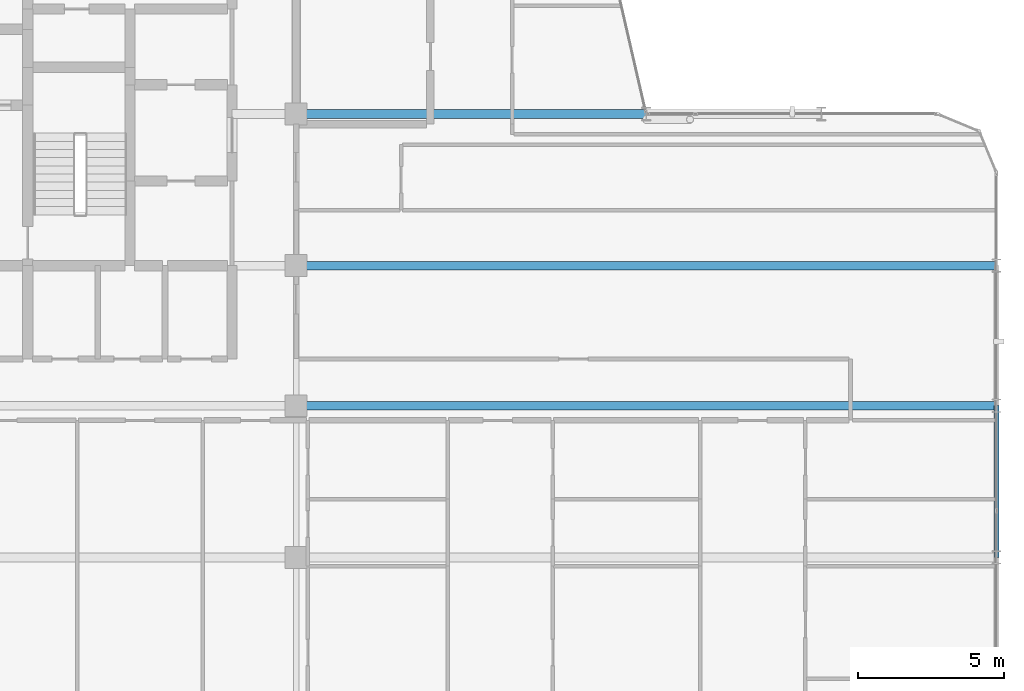
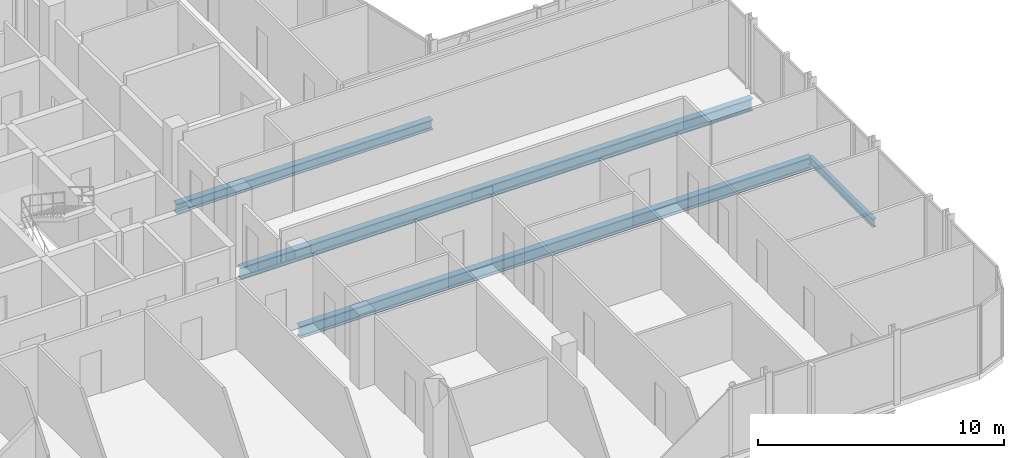
# One storey, part 13 of 29: 4 beams.
"""IFC4 building model written with IfcOpenShell, lengths in metres."""

import ifcopenshell
import ifcopenshell.guid

model = None  # the IFC model being written
_history = None  # IfcOwnerHistory: only IFC2X3 demands one
_inside = {}  # id of a spatial element -> (the spatial element, [elements in it])
_under = {}  # id of a project, library or spatial element -> (it, [spatial elements below it])
_declared = {}  # id of a project -> (the project, [libraries it declares])
_typed = {}  # id of a type object -> (the type object, [elements of that type])
_made_of = {}  # id of a material, layer set ... -> (it, [elements and type objects made of it])


def new_model(schema):
    """Start an empty IFC model of exactly this schema.

    Asked for "IFC4X3", IfcOpenShell would pick the latest addendum, in which some entities
    have other attributes; the version numbers below select the first issue.
    IFC2X3 requires an IfcOwnerHistory on every rooted entity: one is made here for all.
    """
    global model, _history
    if schema == "IFC4X3":
        model = ifcopenshell.file(schema_version=(4, 3, 0, 0))
    else:
        model = ifcopenshell.file(schema=schema)
    _inside.clear()
    _under.clear()
    _declared.clear()
    _typed.clear()
    _made_of.clear()
    _history = None
    if model.schema == "IFC2X3":
        org = make("IfcOrganization", Name="unknown")
        user = make(
            "IfcPersonAndOrganization",
            ThePerson=make("IfcPerson", FamilyName="unknown"),
            TheOrganization=org,
        )
        app = make(
            "IfcApplication",
            ApplicationDeveloper=org,
            Version="unknown",
            ApplicationFullName="unknown",
            ApplicationIdentifier="unknown",
        )
        _history = make(
            "IfcOwnerHistory",
            OwningUser=user,
            OwningApplication=app,
            ChangeAction="ADDED",
            CreationDate=0,
        )
    return model


def make(cls, **values):
    """One entity of the class cls with the attributes given. An attribute that is None is left unset."""
    return model.create_entity(
        cls, **{name: value for name, value in values.items() if value is not None}
    )


def rooted(cls, **values):
    """An entity with a GlobalId (a new one), such as an element, a storey or a relation."""
    return make(cls, GlobalId=ifcopenshell.guid.new(), OwnerHistory=_history, **values)


def si_unit(unit_type, name, prefix=None):
    """IfcSIUnit, for example si_unit("LENGTHUNIT", "METRE", prefix="MILLI")."""
    return make("IfcSIUnit", UnitType=unit_type, Prefix=prefix, Name=name)


def assignment(units):
    """IfcUnitAssignment: the units of a project."""
    return None if units is None else make("IfcUnitAssignment", Units=units)


def point(xyz):
    """IfcCartesianPoint."""
    return None if xyz is None else make("IfcCartesianPoint", Coordinates=xyz)


def direction(xyz):
    """IfcDirection."""
    return None if xyz is None else make("IfcDirection", DirectionRatios=xyz)


def frame(location, z_axis=None, x_axis=None):
    """IfcAxis2Placement3D, a coordinate frame: its origin and axes. An axis left out is left unset."""
    return make(
        "IfcAxis2Placement3D",
        Location=point(location),
        Axis=direction(z_axis),
        RefDirection=direction(x_axis),
    )


def frame_2d(location, x_axis=None):
    """IfcAxis2Placement2D, a coordinate frame in the plane: its origin and x axis."""
    return make(
        "IfcAxis2Placement2D", Location=point(location), RefDirection=direction(x_axis)
    )


def origin():
    """The frame at (0, 0, 0) with its axes left unset."""
    return frame((0.0, 0.0, 0.0))


def origin_2d():
    """The frame at (0, 0) in the plane with its x axis left unset."""
    return frame_2d((0.0, 0.0))


def place(relative_to, where):
    """IfcLocalPlacement: puts the frame where relative to a parent placement (None: the world)."""
    return make(
        "IfcLocalPlacement", PlacementRelTo=relative_to, RelativePlacement=where
    )


def context(
    kind, dimensions, precision=None, world=None, true_north=None, identifier=None
):
    """IfcGeometricRepresentationContext, for example the 3D "Model" context."""
    return make(
        "IfcGeometricRepresentationContext",
        ContextIdentifier=identifier,
        ContextType=kind,
        CoordinateSpaceDimension=dimensions,
        Precision=precision,
        WorldCoordinateSystem=world,
        TrueNorth=true_north,
    )


def subcontext(parent, identifier, kind, view, scale=None):
    """IfcGeometricRepresentationSubContext, for example "Body" below "Model"."""
    return make(
        "IfcGeometricRepresentationSubContext",
        ContextIdentifier=identifier,
        ContextType=kind,
        ParentContext=parent,
        TargetScale=scale,
        TargetView=view,
    )


def project(units=None, contexts=None):
    """IfcProject with its units and contexts."""
    return rooted(
        "IfcProject",
        Name="project",
        RepresentationContexts=contexts,
        UnitsInContext=assignment(units),
    )


def spatial(cls, under=None, at=None, **own):
    """A site, building, storey or space (cls), placed at a placement, below another one or the project."""
    s = rooted(cls, ObjectPlacement=at, **own)
    if under is not None:
        _under.setdefault(under.id(), (under, []))[1].append(s)
    return s


def profile(cls, at=None, kind="AREA", **sizes):
    """A parametric profile (cls). Its sizes go by their IFC names, for example OverallWidth=200.0."""
    return make(cls, ProfileType=kind, Position=at, **sizes)


def i_section(**sizes):
    """IfcIShapeProfileDef."""
    return profile("IfcIShapeProfileDef", **sizes)


def extrude(swept, where, along, depth):
    """IfcExtrudedAreaSolid: the profile swept, set in the frame where, extruded along a direction by depth."""
    return make(
        "IfcExtrudedAreaSolid",
        SweptArea=swept,
        Position=where,
        ExtrudedDirection=direction(along),
        Depth=depth,
    )


def shape(context_of_items, identifier, shape_type, items):
    """IfcShapeRepresentation: the items that make up one representation, for example the "Body"."""
    return make(
        "IfcShapeRepresentation",
        ContextOfItems=context_of_items,
        RepresentationIdentifier=identifier,
        RepresentationType=shape_type,
        Items=items,
    )


def material(Name=None, Category=None):
    """IfcMaterial."""
    return make("IfcMaterial", Name=Name, Category=Category)


def material_profile(
    of_material, cross_section, Name=None, Category=None, Priority=None
):
    """IfcMaterialProfile: a cross section and its material."""
    return make(
        "IfcMaterialProfile",
        Name=Name,
        Material=of_material,
        Profile=cross_section,
        Priority=Priority,
        Category=Category,
    )


def profile_set(profiles, Name=None, composite=None):
    """IfcMaterialProfileSet."""
    return make(
        "IfcMaterialProfileSet",
        Name=Name,
        MaterialProfiles=profiles,
        CompositeProfile=composite,
    )


def made_of(thing, what):
    """Note that an element or type object is made of a material, layer set ...; save() writes the relation."""
    if what is not None:
        _made_of.setdefault(what.id(), (what, []))[1].append(thing)
    return thing


def type_object(cls, material=None, **own):
    """A type object (cls), such as IfcWallType, which elements share."""
    return made_of(rooted(cls, **own), material)


def element(
    cls,
    number,
    at=None,
    inside=None,
    cuts=None,
    type_object=None,
    material=None,
    context=None,
    identifier="Body",
    shape_type=None,
    held_by="IfcProductDefinitionShape",
    body=None,
    shapes=None,
    **own,
):
    """One element of the class cls, such as IfcWall. Its Tag is "e" and its number.

    at: its placement. inside: the storey or other place that contains it. cuts: it is an
    opening in that element (IfcRelVoidsElement). A single representation is given by context,
    identifier, shape_type and body (its items); several are given by shapes. held_by: the class
    of the entity that holds the representations. save() writes the other relations.
    """
    e = rooted(cls, Tag="e%d" % number, ObjectPlacement=at, **own)
    if body is not None:
        shapes = [shape(context, identifier, shape_type, body)]
    if shapes is not None:
        e.Representation = make(held_by, Representations=shapes)
    if inside is not None:
        _inside.setdefault(inside.id(), (inside, []))[1].append(e)
    if cuts is not None:
        rooted(
            "IfcRelVoidsElement", RelatingBuildingElement=cuts, RelatedOpeningElement=e
        )
    if type_object is not None:
        _typed.setdefault(type_object.id(), (type_object, []))[1].append(e)
    return made_of(e, material)


def aggregate(whole, parts):
    """IfcRelAggregates: a whole, such as a stair, and the parts it consists of."""
    return rooted("IfcRelAggregates", RelatingObject=whole, RelatedObjects=parts)


def save(model, path):
    """Write the relations noted so far, then the file.

    IfcRelAggregates (storeys below a building ...), IfcRelContainedInSpatialStructure (elements
    in a storey), IfcRelDefinesByType, IfcRelAssociatesMaterial and IfcRelDeclares: one each for
    every whole, place, type object, material and project.
    """
    for whole, parts in _under.values():
        aggregate(whole, parts)
    for where, things in _inside.values():
        rooted(
            "IfcRelContainedInSpatialStructure",
            RelatedElements=things,
            RelatingStructure=where,
        )
    for kind, things in _typed.values():
        rooted("IfcRelDefinesByType", RelatedObjects=things, RelatingType=kind)
    for what, things in _made_of.values():
        rooted("IfcRelAssociatesMaterial", RelatedObjects=things, RelatingMaterial=what)
    for by, libraries in _declared.values():
        rooted("IfcRelDeclares", RelatingContext=by, RelatedDefinitions=libraries)
    model.write(path)


model = new_model("IFC4")

# Units and contexts
model_context = context("Model", 3, precision=1e-05, world=origin(), true_north=direction((0.0, 1.0)))
body_context = subcontext(model_context, "Body", "Model", "MODEL_VIEW")
ifc_project = project(units=[si_unit("LENGTHUNIT", "METRE"), si_unit("AREAUNIT", "SQUARE_METRE"), si_unit("VOLUMEUNIT", "CUBIC_METRE"), si_unit("PLANEANGLEUNIT", "RADIAN"), si_unit("MASSUNIT", "GRAM", prefix="KILO")], contexts=[model_context])

# Site, building, storey
site_placement = place(None, origin())
site = spatial("IfcSite", under=ifc_project, at=site_placement, CompositionType="ELEMENT")
building_placement = place(site_placement, origin())
building = spatial("IfcBuilding", under=site, at=building_placement, Name="Keshet Zoharim Tower", CompositionType="ELEMENT")
storey_placement = place(building_placement, frame((0.0, 0.0, 226.5)))
storey = spatial("IfcBuildingStorey", under=building, at=storey_placement, Name="L56", CompositionType="ELEMENT", Elevation=226.5)

# Beams
ifc_material = material(Name="Steel S355", Category="steel")
ifc_material_profile_1 = material_profile(ifc_material, i_section(OverallWidth=0.300048828125, OverallDepth=0.60009765625, WebThickness=0.015380859375, FlangeThickness=0.030029296875, FilletRadius=0.027099609375, at=origin_2d()), Name="HEB600")
ifc_profile_set_1 = profile_set([ifc_material_profile_1], Name="Steel S355")
beam_type_1 = type_object("IfcBeamType", Name="BM-LNG-HB600", PredefinedType="BEAM", material=ifc_profile_set_1)
for number, where, z_axis, x_axis, name in (
    (1, (33.0, 17.89990234375, -0.610107421875), (1.0, 0.0, 0.0), (0.0, 1.0, 0.0), "L56 Primary Girder X-013"),
    (2, (33.0, 22.699951171875, -0.610107421875), (1.0, 0.0, 0.0), (0.0, 1.0, 0.0), "L56 Primary Girder X-014"),
):
    element("IfcBeam", number, at=place(storey_placement, frame(where, z_axis=z_axis, x_axis=x_axis)), inside=storey, type_object=beam_type_1, Name=name, PredefinedType="BEAM", context=body_context, shape_type="SweptSolid", body=[
        extrude(i_section(OverallWidth=0.300048828125, OverallDepth=0.60009765625, WebThickness=0.015380859375, FlangeThickness=0.030029296875, FilletRadius=0.027099609375, at=origin_2d()), origin(), (0.0, 0.0, 1.0), 24.0),
    ])
ifc_material_profile_2 = material_profile(ifc_material, i_section(OverallWidth=0.300048828125, OverallDepth=0.5, WebThickness=0.014404296875, FlangeThickness=0.028076171875, FilletRadius=0.027099609375, at=origin_2d()), Name="HEB500")
ifc_profile_set_2 = profile_set([ifc_material_profile_2], Name="Steel S355")
beam_type_2 = type_object("IfcBeamType", Name="BM-MED-HB500", PredefinedType="BEAM", material=ifc_profile_set_2)
beam_1_placement = place(storey_placement, frame((33.0, 27.89990234375, -0.56005859375), z_axis=(1.0, 0.0, 0.0), x_axis=(0.0, 1.0, 0.0)))
element("IfcBeam", 3, at=beam_1_placement, inside=storey, type_object=beam_type_2, Name="L56 Primary Girder X-015", PredefinedType="BEAM", context=body_context, shape_type="SweptSolid", body=[
    extrude(i_section(OverallWidth=0.300048828125, OverallDepth=0.5, WebThickness=0.014404296875, FlangeThickness=0.028076171875, FilletRadius=0.027099609375, at=origin_2d()), origin(), (0.0, 0.0, 1.0), 12.0),
])
ifc_material_profile_3 = material_profile(ifc_material, i_section(OverallWidth=0.179931640625, OverallDepth=0.39990234375, WebThickness=0.008544921875, FlangeThickness=0.013427734375, FilletRadius=0.02099609375, at=origin_2d()), Name="IPE400")
ifc_profile_set_3 = profile_set([ifc_material_profile_3], Name="Steel S355")
beam_type_3 = type_object("IfcBeamType", Name="BM-PRI-IP400", PredefinedType="BEAM", material=ifc_profile_set_3)
beam_2_placement = place(storey_placement, frame((57.0, 12.699951171875, -0.510009765625), z_axis=(0.0, 1.0, 0.0), x_axis=(-1.0, 0.0, 0.0)))
element("IfcBeam", 4, at=beam_2_placement, inside=storey, type_object=beam_type_3, Name="L56 Primary Girder Y-014", PredefinedType="BEAM", context=body_context, shape_type="SweptSolid", body=[
    extrude(i_section(OverallWidth=0.179931640625, OverallDepth=0.39990234375, WebThickness=0.008544921875, FlangeThickness=0.013427734375, FilletRadius=0.02099609375, at=origin_2d()), origin(), (0.0, 0.0, 1.0), 5.199951171875),
])

save(model, "model.ifc")
